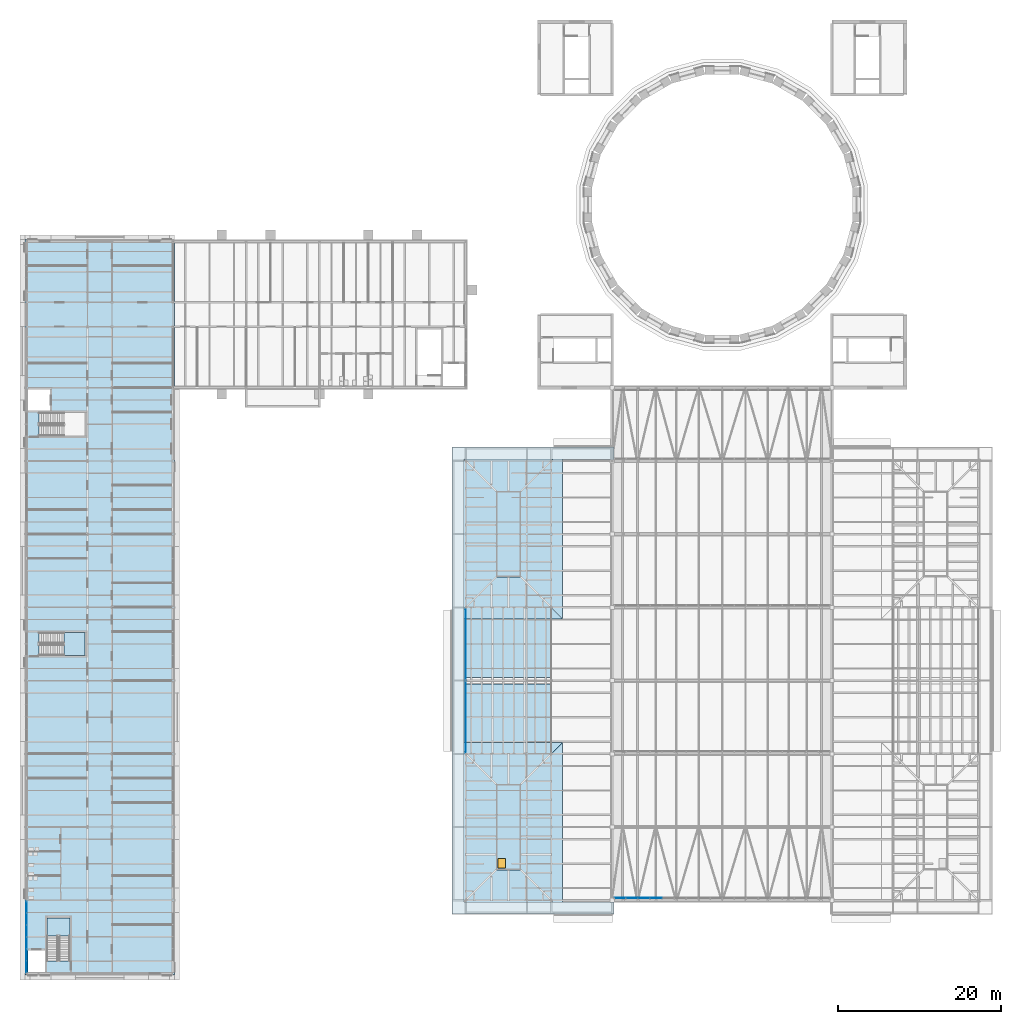
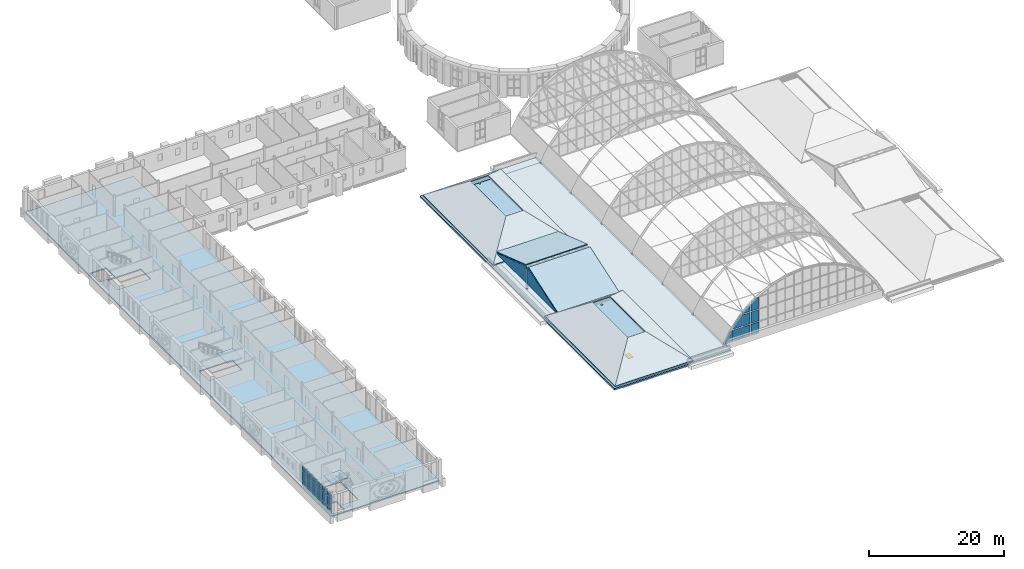
# One storey, part 74 of 121: 29 plates, 15 slabs, 1 window, 1 opening, 4 elements without a shape of their own.
"""IFC4 building model written with IfcOpenShell, lengths in metres."""

from ifc_helpers import new_model, si_unit, direction, frame, origin, origin_2d, place, context, subcontext, project, spatial, polyline, rectangle, outline, extrude, material, layer, layer_set, type_object, element, fill, aggregate, save


model = new_model("IFC4")

# Units and contexts
model_context = context("Model", 3, precision=1e-05, world=origin(), true_north=direction((0.0, 1.0)))
body_context = subcontext(model_context, "Body", "Model", "MODEL_VIEW")
ifc_project = project(units=[si_unit("LENGTHUNIT", "METRE"), si_unit("AREAUNIT", "SQUARE_METRE"), si_unit("VOLUMEUNIT", "CUBIC_METRE"), si_unit("PLANEANGLEUNIT", "RADIAN"), si_unit("MASSUNIT", "GRAM", prefix="KILO")], contexts=[model_context])

# Site, building, storey
site_placement = place(None, origin())
site = spatial("IfcSite", under=ifc_project, at=site_placement, CompositionType="ELEMENT")
building_placement = place(site_placement, origin())
building = spatial("IfcBuilding", under=site, at=building_placement, Name="Golden Quay Civic Hall", CompositionType="ELEMENT")
storey_placement = place(building_placement, frame((0.0, 0.0, 18.60009765625)))
storey = spatial("IfcBuildingStorey", under=building, at=storey_placement, Name="L04", CompositionType="ELEMENT", Elevation=18.60009765625)

# Slab
ifc_material_1 = material(Name="Concrete C35/45", Category="concrete")
ifc_layer_1 = layer(ifc_material_1, 0.199951171875)
ifc_layer_set_1 = layer_set([ifc_layer_1], Name="Composite floor 200")
slab_type_1 = type_object("IfcSlabType", Name="Composite floor 200", PredefinedType="FLOOR", material=ifc_layer_set_1)
slab_1_placement = place(storey_placement, frame((0.0, 0.0, -0.2001953125)))
element("IfcSlab", 1, at=slab_1_placement, inside=storey, type_object=slab_type_1, Name="WO floor L04", PredefinedType="FLOOR", context=body_context, shape_type="SweptSolid", body=[
    extrude(outline(polyline([(-0.199951171875, -9.199951171875), (-0.199951171875, 81.199951171875), (18.199951171875, 81.199951171875), (18.199951171875, -9.199951171875), (-0.199951171875, -9.199951171875)]), holes=[polyline([(5.35009765625, -2.14990234375), (2.5, -2.14990234375), (2.5, -7.445068359375), (5.35009765625, -7.445068359375), (5.35009765625, -2.14990234375)]), polyline([(2.25, -8.800048828125), (2.25, -6.199951171875), (0.199951171875, -6.199951171875), (0.199951171875, -8.800048828125), (2.25, -8.800048828125)]), polyline([(1.554931640625, 57.074951171875), (7.175048828125, 57.074951171875), (7.175048828125, 59.925048828125), (1.554931640625, 59.925048828125), (1.554931640625, 57.074951171875)]), polyline([(0.199951171875, 62.77490234375), (0.199951171875, 60.175048828125), (2.89990234375, 60.175048828125), (2.89990234375, 62.77490234375), (0.199951171875, 62.77490234375)]), polyline([(7.175048828125, 32.925048828125), (1.554931640625, 32.925048828125), (1.554931640625, 30.074951171875), (7.175048828125, 30.074951171875), (7.175048828125, 32.925048828125)])]), origin(), (0.0, 0.0, 1.0), 0.2001953125),
])

# Slab, opening, window
ifc_material_2 = material(Name="Concrete C35/45", Category="concrete")
ifc_layer_2 = layer(ifc_material_2, 0.25)
ifc_layer_set_2 = layer_set([ifc_layer_2], Name="Composite roof 250")
slab_type_2 = type_object("IfcSlabType", Name="Composite roof 250", PredefinedType="ROOF", material=ifc_layer_set_2)
slab_2_placement = place(storey_placement, frame((0.0, 0.0, -0.25)))
slab_2 = element("IfcSlab", 2, at=slab_2_placement, inside=storey, type_object=slab_type_2, Name="WM roof", PredefinedType="ROOF", context=body_context, shape_type="SweptSolid", body=[
    extrude(outline(polyline([(72.199951171875, 26.780029296875), (72.199951171875, 18.219970703125), (71.780029296875, 18.219970703125), (71.780029296875, 17.780029296875), (72.199951171875, 17.780029296875), (72.199951171875, 9.219970703125), (71.780029296875, 9.219970703125), (71.780029296875, 8.780029296875), (72.199951171875, 8.780029296875), (72.199951171875, 0.219970703125), (71.780029296875, 0.219970703125), (71.780029296875, -0.199951171875), (53.800048828125, -0.199951171875), (53.800048828125, 54.199951171875), (71.780029296875, 54.199951171875), (71.780029296875, 53.780029296875), (72.199951171875, 53.780029296875), (72.199951171875, 45.219970703125), (71.780029296875, 45.219970703125), (71.780029296875, 44.780029296875), (72.199951171875, 44.780029296875), (72.199951171875, 36.219970703125), (71.780029296875, 36.219970703125), (71.780029296875, 35.780029296875), (72.199951171875, 35.780029296875), (72.199951171875, 27.219970703125), (71.780029296875, 27.219970703125), (71.780029296875, 26.780029296875), (72.199951171875, 26.780029296875)]), holes=[polyline([(53.885009765625, -0.110107421875), (54.114990234375, -0.110107421875), (54.114990234375, 0.110107421875), (53.885009765625, 0.110107421875), (53.885009765625, -0.110107421875)]), polyline([(53.885009765625, 9.110107421875), (53.885009765625, 8.889892578125), (54.114990234375, 8.889892578125), (54.114990234375, 9.110107421875), (53.885009765625, 9.110107421875)]), polyline([(54.114990234375, 18.110107421875), (53.885009765625, 18.110107421875), (53.885009765625, 17.889892578125), (54.114990234375, 17.889892578125), (54.114990234375, 18.110107421875)]), polyline([(61.614990234375, -0.110107421875), (61.614990234375, 0.110107421875), (61.385009765625, 0.110107421875), (61.385009765625, -0.110107421875), (61.614990234375, -0.110107421875)]), polyline([(61.364990234375, 17.8701171875), (61.635009765625, 17.8701171875), (61.635009765625, 18.1298828125), (61.364990234375, 18.1298828125), (61.364990234375, 17.8701171875)]), polyline([(64.385009765625, 0.110107421875), (64.385009765625, -0.110107421875), (64.614990234375, -0.110107421875), (64.614990234375, 0.110107421875), (64.385009765625, 0.110107421875)]), polyline([(64.635009765625, 9.1298828125), (64.364990234375, 9.1298828125), (64.364990234375, 8.8701171875), (64.635009765625, 8.8701171875), (64.635009765625, 9.1298828125)]), polyline([(64.635009765625, 17.8701171875), (64.635009765625, 18.1298828125), (64.364990234375, 18.1298828125), (64.364990234375, 17.8701171875), (64.635009765625, 17.8701171875)]), polyline([(53.885009765625, 35.889892578125), (54.114990234375, 35.889892578125), (54.114990234375, 36.110107421875), (53.885009765625, 36.110107421875), (53.885009765625, 35.889892578125)]), polyline([(53.885009765625, 45.110107421875), (53.885009765625, 44.889892578125), (54.114990234375, 44.889892578125), (54.114990234375, 45.110107421875), (53.885009765625, 45.110107421875)]), polyline([(54.114990234375, 54.110107421875), (53.885009765625, 54.110107421875), (53.885009765625, 53.889892578125), (54.114990234375, 53.889892578125), (54.114990234375, 54.110107421875)]), polyline([(61.635009765625, 35.8701171875), (61.635009765625, 36.1298828125), (61.364990234375, 36.1298828125), (61.364990234375, 35.8701171875), (61.635009765625, 35.8701171875)]), polyline([(61.385009765625, 53.889892578125), (61.614990234375, 53.889892578125), (61.614990234375, 54.110107421875), (61.385009765625, 54.110107421875), (61.385009765625, 53.889892578125)]), polyline([(64.364990234375, 36.1298828125), (64.364990234375, 35.8701171875), (64.635009765625, 35.8701171875), (64.635009765625, 36.1298828125), (64.364990234375, 36.1298828125)]), polyline([(64.635009765625, 45.1298828125), (64.364990234375, 45.1298828125), (64.364990234375, 44.8701171875), (64.635009765625, 44.8701171875), (64.635009765625, 45.1298828125)]), polyline([(64.614990234375, 53.889892578125), (64.614990234375, 54.110107421875), (64.385009765625, 54.110107421875), (64.385009765625, 53.889892578125), (64.614990234375, 53.889892578125)]), polyline([(53.885009765625, 26.885009765625), (54.114990234375, 26.885009765625), (54.114990234375, 27.114990234375), (53.885009765625, 27.114990234375), (53.885009765625, 26.885009765625)]), polyline([(61.385009765625, 27.114990234375), (61.385009765625, 26.885009765625), (61.614990234375, 26.885009765625), (61.614990234375, 27.114990234375), (61.385009765625, 27.114990234375)]), polyline([(64.614990234375, 27.114990234375), (64.385009765625, 27.114990234375), (64.385009765625, 26.885009765625), (64.614990234375, 26.885009765625), (64.614990234375, 27.114990234375)])]), origin(), (0.0, 0.0, 1.0), 0.25),
])
opening_placement = place(slab_2_placement, frame((58.39990234375, 4.550048828125, 0.0)))
opening = element("IfcOpeningElement", 3, at=opening_placement, cuts=slab_2, Name="Opening WN12", PredefinedType="OPENING", context=body_context, shape_type="SweptSolid", body=[
    extrude(rectangle(XDim=0.89990234375, YDim=1.199951171875, at=origin_2d()), origin(), (0.0, 0.0, 1.0), 0.25),
])
ifc_material_3 = material(Name="Aluminium, insulated", Category="aluminium")
window_type = type_object("IfcWindowType", Name="Roof access hatch 900 x 1200", PartitioningType="SINGLE_PANEL", PredefinedType="SKYLIGHT", material=ifc_material_3)
window_placement = place(opening_placement, frame((0.0, 0.0, 0.199951171875)))
window = element("IfcWindow", 4, at=window_placement, inside=storey, type_object=window_type, Name="Roof access hatch 900 x 1200 L04 1", OverallHeight=1.199951171875, OverallWidth=0.89990234375, PartitioningType="SINGLE_PANEL", PredefinedType="SKYLIGHT", context=body_context, shape_type="SweptSolid", body=[
    extrude(rectangle(XDim=0.89990234375, YDim=1.199951171875, at=origin_2d()), origin(), (0.0, 0.0, 1.0), 0.050048828125),
])
fill(opening, window)

# Slabs
ifc_material_4 = material(Name="Concrete C35/45", Category="concrete")
ifc_layer_3 = layer(ifc_material_4, 0.14990234375)
ifc_layer_set_3 = layer_set([ifc_layer_3], Name="Concrete roof deck 150, Concrete C35/45")
slab_type_3 = type_object("IfcSlabType", Name="Concrete roof deck 150", PredefinedType="ROOF", material=ifc_layer_set_3)
slab_3_placement = place(storey_placement, frame((52.60009765625, -1.39990234375, 0.18994140625), z_axis=(0.0, -0.600012135945, 0.799990897897), x_axis=(1.0, 0.0, 0.0)))
element("IfcSlab", 5, at=slab_3_placement, inside=storey, type_object=slab_type_3, Name="Roof deck WM-S south", PredefinedType="ROOF", context=body_context, shape_type="SweptSolid", body=[
    extrude(outline(polyline([(0.0, 0.0), (13.2998046875, 0.0), (8.14990234375, 6.437451172615724), (5.14990234375, 6.437451172615724), (0.0, 0.0)])), origin(), (0.0, -0.600012135945, -0.799990897897), 0.1875),
])
slab_4_placement = place(storey_placement, frame((52.60009765625, 19.39990234375, 0.18994140625), z_axis=(0.0, 0.600012135945, 0.799990897897), x_axis=(1.0, 0.0, 0.0)))
element("IfcSlab", 6, at=slab_4_placement, inside=storey, type_object=slab_type_3, Name="Roof deck WM-S north", PredefinedType="ROOF", context=body_context, shape_type="SweptSolid", body=[
    extrude(outline(polyline([(0.0, 0.0), (13.2998046875, 0.0), (8.14990234375, -6.437451172615724), (5.14990234375, -6.437451172615724), (0.0, 0.0)])), origin(), (0.0, 0.600012135945, -0.799990897897), 0.1875),
])
slab_5_placement = place(storey_placement, frame((52.60009765625, -1.39990234375, 0.18994140625), z_axis=(-0.600012135945, 0.0, 0.799990897897), x_axis=(0.0, 1.0, 0.0)))
element("IfcSlab", 7, at=slab_5_placement, inside=storey, type_object=slab_type_3, Name="Roof deck WM-S west", PredefinedType="ROOF", context=body_context, shape_type="SweptSolid", body=[
    extrude(outline(polyline([(0.0, 0.0), (20.7998046875, 0.0), (15.64990234375, -6.437451172615724), (5.14990234375, -6.437451172615724), (0.0, 0.0)])), origin(), (0.0, 0.600012135945, -0.799990897897), 0.1875),
])
slab_6_placement = place(storey_placement, frame((65.89990234375, -1.39990234375, 0.18994140625), z_axis=(0.600012135945, 0.0, 0.799990897897), x_axis=(0.0, 1.0, 0.0)))
element("IfcSlab", 8, at=slab_6_placement, inside=storey, type_object=slab_type_3, Name="Roof deck WM-S east", PredefinedType="ROOF", context=body_context, shape_type="SweptSolid", body=[
    extrude(outline(polyline([(0.0, 0.0), (20.7998046875, 0.0), (15.64990234375, 6.437451172615724), (5.14990234375, 6.437451172615724), (0.0, 0.0)])), origin(), (0.0, -0.600012135945, -0.799990897897), 0.1875),
])
slab_7_placement = place(storey_placement, frame((52.60009765625, 34.60009765625, 0.18994140625), z_axis=(0.0, -0.600012135945, 0.799990897897), x_axis=(1.0, 0.0, 0.0)))
element("IfcSlab", 9, at=slab_7_placement, inside=storey, type_object=slab_type_3, Name="Roof deck WM-N south", PredefinedType="ROOF", context=body_context, shape_type="SweptSolid", body=[
    extrude(outline(polyline([(0.0, 0.0), (13.2998046875, 0.0), (8.14990234375, 6.437451172615724), (5.14990234375, 6.437451172615724), (0.0, 0.0)])), origin(), (0.0, -0.600012135945, -0.799990897897), 0.1875),
])
slab_8_placement = place(storey_placement, frame((52.60009765625, 55.39990234375, 0.18994140625), z_axis=(0.0, 0.600012135945, 0.799990897897), x_axis=(1.0, 0.0, 0.0)))
element("IfcSlab", 10, at=slab_8_placement, inside=storey, type_object=slab_type_3, Name="Roof deck WM-N north", PredefinedType="ROOF", context=body_context, shape_type="SweptSolid", body=[
    extrude(outline(polyline([(0.0, 0.0), (13.2998046875, 0.0), (8.14990234375, -6.437451172615724), (5.14990234375, -6.437451172615724), (0.0, 0.0)])), origin(), (0.0, 0.600012135945, -0.799990897897), 0.1875),
])
slab_9_placement = place(storey_placement, frame((52.60009765625, 34.60009765625, 0.18994140625), z_axis=(-0.600012135945, 0.0, 0.799990897897), x_axis=(0.0, 1.0, 0.0)))
element("IfcSlab", 11, at=slab_9_placement, inside=storey, type_object=slab_type_3, Name="Roof deck WM-N west", PredefinedType="ROOF", context=body_context, shape_type="SweptSolid", body=[
    extrude(outline(polyline([(0.0, 0.0), (20.7998046875, 0.0), (15.64990234375, -6.437451172615724), (5.14990234375, -6.437451172615724), (0.0, 0.0)])), origin(), (0.0, 0.600012135945, -0.799990897897), 0.1875),
])
slab_10_placement = place(storey_placement, frame((65.89990234375, 34.60009765625, 0.18994140625), z_axis=(0.600012135945, 0.0, 0.799990897897), x_axis=(0.0, 1.0, 0.0)))
element("IfcSlab", 12, at=slab_10_placement, inside=storey, type_object=slab_type_3, Name="Roof deck WM-N east", PredefinedType="ROOF", context=body_context, shape_type="SweptSolid", body=[
    extrude(outline(polyline([(0.0, 0.0), (20.7998046875, 0.0), (15.64990234375, 6.437451172615724), (5.14990234375, 6.437451172615724), (0.0, 0.0)])), origin(), (0.0, -0.600012135945, -0.799990897897), 0.1875),
])
slab_11_placement = place(storey_placement, frame((54.0, 18.0, 1.24609375), z_axis=(0.0, -0.320484074893, 0.947253903523), x_axis=(1.0, 0.0, 0.0)))
element("IfcSlab", 13, at=slab_11_placement, inside=storey, type_object=slab_type_3, Name="Roof deck gable south", PredefinedType="ROOF", context=body_context, shape_type="SweptSolid", body=[
    extrude(outline(polyline([(0.0, 0.0), (10.5, 0.0), (10.5, 9.078978322774349), (0.0, 9.078978322774349), (0.0, 0.0)])), origin(), (0.0, -0.320484074893, -0.947253903523), 0.158447265625),
])
slab_12_placement = place(storey_placement, frame((54.0, 27.39990234375, 4.15576171875), z_axis=(0.0, 0.320484074893, 0.947253903523), x_axis=(1.0, 0.0, 0.0)))
element("IfcSlab", 14, at=slab_12_placement, inside=storey, type_object=slab_type_3, Name="Roof deck gable north", PredefinedType="ROOF", context=body_context, shape_type="SweptSolid", body=[
    extrude(outline(polyline([(0.0, 0.0), (10.5, 0.0), (10.5, 9.078978322774349), (0.0, 9.078978322774349), (0.0, 0.0)])), origin(), (0.0, 0.320484074893, -0.947253903523), 0.158447265625),
])

# Stair, slab
ifc_material_5 = material(Name="Concrete C35/45", Category="concrete")
stair_type = type_object("IfcStairType", Name="Concrete stair 1350 wide 24 risers of 175.0", PredefinedType="HALF_TURN_STAIR", material=ifc_material_5)
stair_1_placement = place(storey_placement, origin())
stair_1 = element("IfcStair", 15, at=stair_1_placement, inside=storey, type_object=stair_type, Name="L04 Stair WO-S", PredefinedType="HALF_TURN_STAIR")
ifc_material_6 = material(Name="Concrete C35/45", Category="concrete")
ifc_layer_4 = layer(ifc_material_6, 0.199951171875)
ifc_layer_set_4 = layer_set([ifc_layer_4], Name="Concrete stair landing 200, Concrete C35/45")
slab_type_4 = type_object("IfcSlabType", Name="Concrete stair landing 200", PredefinedType="LANDING", material=ifc_layer_set_4)
slab_13_placement = place(storey_placement, frame((0.0, 0.0, 1.89990234375)))
slab_13 = element("IfcSlab", 16, at=slab_13_placement, type_object=slab_type_4, Name="WO-S landing 1", PredefinedType="LANDING", context=body_context, shape_type="SweptSolid", body=[
    extrude(outline(polyline([(5.35009765625, -4.3701171875), (5.35009765625, -2.14990234375), (2.5, -2.14990234375), (2.5, -4.3701171875), (5.35009765625, -4.3701171875)])), origin(), (0.0, 0.0, 1.0), 0.199951171875),
])
aggregate(stair_1, [slab_13])

stair_2_placement = place(storey_placement, origin())
stair_2 = element("IfcStair", 17, at=stair_2_placement, inside=storey, type_object=stair_type, Name="L04 Stair WO-M", PredefinedType="HALF_TURN_STAIR")
slab_14_placement = place(storey_placement, frame((0.0, 0.0, 1.89990234375)))
slab_14 = element("IfcSlab", 18, at=slab_14_placement, type_object=slab_type_4, Name="WO-M landing 1", PredefinedType="LANDING", context=body_context, shape_type="SweptSolid", body=[
    extrude(outline(polyline([(4.6298828125, 30.074951171875), (7.175048828125, 30.074951171875), (7.175048828125, 32.925048828125), (4.6298828125, 32.925048828125), (4.6298828125, 30.074951171875)])), origin(), (0.0, 0.0, 1.0), 0.199951171875),
])
aggregate(stair_2, [slab_14])

# Curtain wall, plates
ifc_material_7 = material(Name="Glass, laminated double glazed", Category="glass")
ifc_layer_5 = layer(ifc_material_7, 0.199951171875)
ifc_layer_set_5 = layer_set([ifc_layer_5], Name="Glazed core strip curtain wall")
curtain_wall_type_1 = type_object("IfcCurtainWallType", Name="Glazed core strip curtain wall", PredefinedType="NOTDEFINED", material=ifc_layer_set_5)
curtain_wall_1_placement = place(storey_placement, origin())
curtain_wall_1 = element("IfcCurtainWall", 19, at=curtain_wall_1_placement, inside=storey, type_object=curtain_wall_type_1, Name="Glazed core strip curtain wall L04 1", PredefinedType="NOTDEFINED")
ifc_material_8 = material(Name="Glass, laminated double glazed", Category="glass")
ifc_layer_6 = layer(ifc_material_8, 0.028076171875)
ifc_layer_set_6 = layer_set([ifc_layer_6], Name="Double glazed curtain wall panel 28")
plate_type_1 = type_object("IfcPlateType", Name="Double glazed curtain wall panel 28", PredefinedType="CURTAIN_PANEL", material=ifc_layer_set_6)
plate_1_placement = place(storey_placement, frame((0.0, -8.13916015625, 0.059814453125), z_axis=(0.0, 0.0, 1.0), x_axis=(0.0, 1.0, 0.0)))
plate_1 = element("IfcPlate", 20, at=plate_1_placement, type_object=plate_type_1, Name="CW2 panel 1.1", PredefinedType="CURTAIN_PANEL", context=body_context, shape_type="SweptSolid", body=[
    extrude(rectangle(XDim=1.37158203125, YDim=0.028076171875, at=origin_2d()), origin(), (0.0, 0.0, 1.0), 0.81005859375),
])
plate_2_placement = place(storey_placement, frame((0.0, -8.13916015625, 0.9296875), z_axis=(0.0, 0.0, 1.0), x_axis=(0.0, 1.0, 0.0)))
plate_2 = element("IfcPlate", 21, at=plate_2_placement, type_object=plate_type_1, Name="CW2 panel 1.2", PredefinedType="CURTAIN_PANEL", context=body_context, shape_type="SweptSolid", body=[
    extrude(rectangle(XDim=1.37158203125, YDim=0.028076171875, at=origin_2d()), origin(), (0.0, 0.0, 1.0), 1.739990234375),
])
plate_3_placement = place(storey_placement, frame((0.0, -8.13916015625, 2.72998046875), z_axis=(0.0, 0.0, 1.0), x_axis=(0.0, 1.0, 0.0)))
plate_3 = element("IfcPlate", 22, at=plate_3_placement, type_object=plate_type_1, Name="CW2 panel 1.3", PredefinedType="CURTAIN_PANEL", context=body_context, shape_type="SweptSolid", body=[
    extrude(rectangle(XDim=1.37158203125, YDim=0.028076171875, at=origin_2d()), origin(), (0.0, 0.0, 1.0), 0.81005859375),
])
plate_4_placement = place(storey_placement, frame((0.0, -6.6923828125, 0.059814453125), z_axis=(0.0, 0.0, 1.0), x_axis=(0.0, 1.0, 0.0)))
plate_4 = element("IfcPlate", 23, at=plate_4_placement, type_object=plate_type_1, Name="CW2 panel 2.1", PredefinedType="CURTAIN_PANEL", context=body_context, shape_type="SweptSolid", body=[
    extrude(rectangle(XDim=1.401611328125, YDim=0.028076171875, at=origin_2d()), origin(), (0.0, 0.0, 1.0), 0.81005859375),
])
plate_5_placement = place(storey_placement, frame((0.0, -6.6923828125, 0.9296875), z_axis=(0.0, 0.0, 1.0), x_axis=(0.0, 1.0, 0.0)))
plate_5 = element("IfcPlate", 24, at=plate_5_placement, type_object=plate_type_1, Name="CW2 panel 2.2", PredefinedType="CURTAIN_PANEL", context=body_context, shape_type="SweptSolid", body=[
    extrude(rectangle(XDim=1.401611328125, YDim=0.028076171875, at=origin_2d()), origin(), (0.0, 0.0, 1.0), 1.739990234375),
])
plate_6_placement = place(storey_placement, frame((0.0, -6.6923828125, 2.72998046875), z_axis=(0.0, 0.0, 1.0), x_axis=(0.0, 1.0, 0.0)))
plate_6 = element("IfcPlate", 25, at=plate_6_placement, type_object=plate_type_1, Name="CW2 panel 2.3", PredefinedType="CURTAIN_PANEL", context=body_context, shape_type="SweptSolid", body=[
    extrude(rectangle(XDim=1.401611328125, YDim=0.028076171875, at=origin_2d()), origin(), (0.0, 0.0, 1.0), 0.81005859375),
])
plate_7_placement = place(storey_placement, frame((0.0, -5.230712890625, 0.059814453125), z_axis=(0.0, 0.0, 1.0), x_axis=(0.0, 1.0, 0.0)))
plate_7 = element("IfcPlate", 26, at=plate_7_placement, type_object=plate_type_1, Name="CW2 panel 3.1", PredefinedType="CURTAIN_PANEL", context=body_context, shape_type="SweptSolid", body=[
    extrude(rectangle(XDim=1.401611328125, YDim=0.028076171875, at=origin_2d()), origin(), (0.0, 0.0, 1.0), 0.81005859375),
])
plate_8_placement = place(storey_placement, frame((0.0, -5.230712890625, 0.9296875), z_axis=(0.0, 0.0, 1.0), x_axis=(0.0, 1.0, 0.0)))
plate_8 = element("IfcPlate", 27, at=plate_8_placement, type_object=plate_type_1, Name="CW2 panel 3.2", PredefinedType="CURTAIN_PANEL", context=body_context, shape_type="SweptSolid", body=[
    extrude(rectangle(XDim=1.401611328125, YDim=0.028076171875, at=origin_2d()), origin(), (0.0, 0.0, 1.0), 1.739990234375),
])
plate_9_placement = place(storey_placement, frame((0.0, -5.230712890625, 2.72998046875), z_axis=(0.0, 0.0, 1.0), x_axis=(0.0, 1.0, 0.0)))
plate_9 = element("IfcPlate", 28, at=plate_9_placement, type_object=plate_type_1, Name="CW2 panel 3.3", PredefinedType="CURTAIN_PANEL", context=body_context, shape_type="SweptSolid", body=[
    extrude(rectangle(XDim=1.401611328125, YDim=0.028076171875, at=origin_2d()), origin(), (0.0, 0.0, 1.0), 0.81005859375),
])
plate_10_placement = place(storey_placement, frame((0.0, -3.769287109375, 0.059814453125), z_axis=(0.0, 0.0, 1.0), x_axis=(0.0, 1.0, 0.0)))
plate_10 = element("IfcPlate", 29, at=plate_10_placement, type_object=plate_type_1, Name="CW2 panel 4.1", PredefinedType="CURTAIN_PANEL", context=body_context, shape_type="SweptSolid", body=[
    extrude(rectangle(XDim=1.401611328125, YDim=0.028076171875, at=origin_2d()), origin(), (0.0, 0.0, 1.0), 0.81005859375),
])
plate_11_placement = place(storey_placement, frame((0.0, -3.769287109375, 0.9296875), z_axis=(0.0, 0.0, 1.0), x_axis=(0.0, 1.0, 0.0)))
plate_11 = element("IfcPlate", 30, at=plate_11_placement, type_object=plate_type_1, Name="CW2 panel 4.2", PredefinedType="CURTAIN_PANEL", context=body_context, shape_type="SweptSolid", body=[
    extrude(rectangle(XDim=1.401611328125, YDim=0.028076171875, at=origin_2d()), origin(), (0.0, 0.0, 1.0), 1.739990234375),
])
plate_12_placement = place(storey_placement, frame((0.0, -3.769287109375, 2.72998046875), z_axis=(0.0, 0.0, 1.0), x_axis=(0.0, 1.0, 0.0)))
plate_12 = element("IfcPlate", 31, at=plate_12_placement, type_object=plate_type_1, Name="CW2 panel 4.3", PredefinedType="CURTAIN_PANEL", context=body_context, shape_type="SweptSolid", body=[
    extrude(rectangle(XDim=1.401611328125, YDim=0.028076171875, at=origin_2d()), origin(), (0.0, 0.0, 1.0), 0.81005859375),
])
plate_13_placement = place(storey_placement, frame((0.0, -2.3076171875, 0.059814453125), z_axis=(0.0, 0.0, 1.0), x_axis=(0.0, 1.0, 0.0)))
plate_13 = element("IfcPlate", 32, at=plate_13_placement, type_object=plate_type_1, Name="CW2 panel 5.1", PredefinedType="CURTAIN_PANEL", context=body_context, shape_type="SweptSolid", body=[
    extrude(rectangle(XDim=1.401611328125, YDim=0.028076171875, at=origin_2d()), origin(), (0.0, 0.0, 1.0), 0.81005859375),
])
plate_14_placement = place(storey_placement, frame((0.0, -2.3076171875, 0.9296875), z_axis=(0.0, 0.0, 1.0), x_axis=(0.0, 1.0, 0.0)))
plate_14 = element("IfcPlate", 33, at=plate_14_placement, type_object=plate_type_1, Name="CW2 panel 5.2", PredefinedType="CURTAIN_PANEL", context=body_context, shape_type="SweptSolid", body=[
    extrude(rectangle(XDim=1.401611328125, YDim=0.028076171875, at=origin_2d()), origin(), (0.0, 0.0, 1.0), 1.739990234375),
])
plate_15_placement = place(storey_placement, frame((0.0, -2.3076171875, 2.72998046875), z_axis=(0.0, 0.0, 1.0), x_axis=(0.0, 1.0, 0.0)))
plate_15 = element("IfcPlate", 34, at=plate_15_placement, type_object=plate_type_1, Name="CW2 panel 5.3", PredefinedType="CURTAIN_PANEL", context=body_context, shape_type="SweptSolid", body=[
    extrude(rectangle(XDim=1.401611328125, YDim=0.028076171875, at=origin_2d()), origin(), (0.0, 0.0, 1.0), 0.81005859375),
])
plate_16_placement = place(storey_placement, frame((0.0, -0.86083984375, 0.059814453125), z_axis=(0.0, 0.0, 1.0), x_axis=(0.0, 1.0, 0.0)))
plate_16 = element("IfcPlate", 35, at=plate_16_placement, type_object=plate_type_1, Name="CW2 panel 6.1", PredefinedType="CURTAIN_PANEL", context=body_context, shape_type="SweptSolid", body=[
    extrude(rectangle(XDim=1.37158203125, YDim=0.028076171875, at=origin_2d()), origin(), (0.0, 0.0, 1.0), 0.81005859375),
])
plate_17_placement = place(storey_placement, frame((0.0, -0.86083984375, 0.9296875), z_axis=(0.0, 0.0, 1.0), x_axis=(0.0, 1.0, 0.0)))
plate_17 = element("IfcPlate", 36, at=plate_17_placement, type_object=plate_type_1, Name="CW2 panel 6.2", PredefinedType="CURTAIN_PANEL", context=body_context, shape_type="SweptSolid", body=[
    extrude(rectangle(XDim=1.37158203125, YDim=0.028076171875, at=origin_2d()), origin(), (0.0, 0.0, 1.0), 1.739990234375),
])
plate_18_placement = place(storey_placement, frame((0.0, -0.86083984375, 2.72998046875), z_axis=(0.0, 0.0, 1.0), x_axis=(0.0, 1.0, 0.0)))
plate_18 = element("IfcPlate", 37, at=plate_18_placement, type_object=plate_type_1, Name="CW2 panel 6.3", PredefinedType="CURTAIN_PANEL", context=body_context, shape_type="SweptSolid", body=[
    extrude(rectangle(XDim=1.37158203125, YDim=0.028076171875, at=origin_2d()), origin(), (0.0, 0.0, 1.0), 0.81005859375),
])
aggregate(curtain_wall_1, [plate_1, plate_2, plate_3, plate_4, plate_5, plate_6, plate_7, plate_8, plate_9, plate_10, plate_11, plate_12, plate_13, plate_14, plate_15, plate_16, plate_17, plate_18])

# Slab
ifc_material_9 = material(Name="Concrete C35/45", Category="concrete")
ifc_layer_7 = layer(ifc_material_9, 0.25)
ifc_layer_set_7 = layer_set([ifc_layer_7], Name="Eave roof slab 250")
slab_type_5 = type_object("IfcSlabType", Name="Eave roof slab 250", PredefinedType="ROOF", material=ifc_layer_set_7)
slab_15_placement = place(storey_placement, frame((0.0, 0.0, -0.25)))
element("IfcSlab", 38, at=slab_15_placement, inside=storey, type_object=slab_type_5, Name="Eave roof slab 250 L04 1", PredefinedType="ROOF", context=body_context, shape_type="SweptSolid", body=[
    extrude(outline(polyline([(72.199951171875, -1.699951171875), (53.800048828125, -1.699951171875), (52.300048828125, -1.699951171875), (52.300048828125, -0.199951171875), (52.300048828125, 54.199951171875), (52.300048828125, 55.699951171875), (53.800048828125, 55.699951171875), (72.199951171875, 55.699951171875), (72.199951171875, 54.199951171875), (53.800048828125, 54.199951171875), (53.800048828125, -0.199951171875), (72.199951171875, -0.199951171875), (72.199951171875, -1.699951171875)])), origin(), (0.0, 0.0, 1.0), 0.25),
])

# Curtain wall, plates
ifc_material_10 = material(Name="Glass and aluminium", Category="aluminium")
curtain_wall_type_2 = type_object("IfcCurtainWallType", Name="Glazed curtain wall 1500 module", PredefinedType="NOTDEFINED", material=ifc_material_10)
curtain_wall_2_placement = place(storey_placement, origin())
curtain_wall_2 = element("IfcCurtainWall", 39, at=curtain_wall_2_placement, inside=storey, type_object=curtain_wall_type_2, Name="Curtain wall tympanum south", PredefinedType="NOTDEFINED")
ifc_material_11 = material(Name="Laminated glass", Category="glass")
ifc_layer_8 = layer(ifc_material_11, 0.028076171875)
ifc_layer_set_8 = layer_set([ifc_layer_8], Name="Laminated glass panel 28")
plate_type_2 = type_object("IfcPlateType", Name="Laminated glass panel 28", PredefinedType="CURTAIN_PANEL", material=ifc_layer_set_8)
plate_19_placement = place(storey_placement, frame((73.61767578125, 0.283935546875, -0.130126953125), z_axis=(0.0, 1.0, 0.0), x_axis=(-1.0, 0.0, 0.0)))
plate_19 = element("IfcPlate", 40, at=plate_19_placement, type_object=plate_type_2, Name="Tympanum glass 1.1", PredefinedType="CURTAIN_PANEL", context=body_context, shape_type="SweptSolid", body=[
    extrude(outline(polyline([(0.0, 0.0), (1.297607421875, 0.0), (1.297607421875, 0.37646484375), (0.4150390625, 2.02001953125), (0.0, 2.02001953125), (0.0, 0.0)])), origin(), (0.0, 0.0, -1.0), 0.028076171875),
])
plate_20_placement = place(storey_placement, frame((75.095458984375, 0.283935546875, -0.130126953125), z_axis=(0.0, 1.0, 0.0), x_axis=(-1.0, 0.0, 0.0)))
plate_20 = element("IfcPlate", 41, at=plate_20_placement, type_object=plate_type_2, Name="Tympanum glass 2.1", PredefinedType="CURTAIN_PANEL", context=body_context, shape_type="SweptSolid", body=[
    extrude(outline(polyline([(0.0, 0.0), (1.357666015625, 0.0), (1.357666015625, 2.02001953125), (0.0, 2.02001953125), (0.0, 0.0)])), origin(), (0.0, 0.0, -1.0), 0.028076171875),
])
plate_21_placement = place(storey_placement, frame((75.095458984375, 0.283935546875, 2.06982421875), z_axis=(0.0, 1.0, 0.0), x_axis=(-1.0, 0.0, 0.0)))
plate_21 = element("IfcPlate", 42, at=plate_21_placement, type_object=plate_type_2, Name="Tympanum glass 2.2", PredefinedType="CURTAIN_PANEL", context=body_context, shape_type="SweptSolid", body=[
    extrude(outline(polyline([(0.0, 0.0), (1.357666015625, 0.0), (1.357666015625, 0.677978515625), (0.0, 2.3271484375), (0.0, 0.0)])), origin(), (0.0, 0.0, -1.0), 0.028076171875),
])
plate_22_placement = place(storey_placement, frame((76.5732421875, 0.283935546875, -0.130126953125), z_axis=(0.0, 1.0, 0.0), x_axis=(-1.0, 0.0, 0.0)))
plate_22 = element("IfcPlate", 43, at=plate_22_placement, type_object=plate_type_2, Name="Tympanum glass 3.1", PredefinedType="CURTAIN_PANEL", context=body_context, shape_type="SweptSolid", body=[
    extrude(outline(polyline([(0.0, 0.0), (1.357666015625, 0.0), (1.357666015625, 2.02001953125), (0.0, 2.02001953125), (0.0, 0.0)])), origin(), (0.0, 0.0, -1.0), 0.028076171875),
])
plate_23_placement = place(storey_placement, frame((76.5732421875, 0.283935546875, 2.06982421875), z_axis=(0.0, 1.0, 0.0), x_axis=(-1.0, 0.0, 0.0)))
plate_23 = element("IfcPlate", 44, at=plate_23_placement, type_object=plate_type_2, Name="Tympanum glass 3.2", PredefinedType="CURTAIN_PANEL", context=body_context, shape_type="SweptSolid", body=[
    extrude(outline(polyline([(0.0, 0.0), (1.357666015625, 0.0), (1.357666015625, 2.02001953125), (0.0, 2.02001953125), (0.0, 0.0)])), origin(), (0.0, 0.0, -1.0), 0.028076171875),
])
plate_24_placement = place(storey_placement, frame((76.5732421875, 0.283935546875, 4.27001953125), z_axis=(0.0, 1.0, 0.0), x_axis=(-1.0, 0.0, 0.0)))
plate_24 = element("IfcPlate", 45, at=plate_24_placement, type_object=plate_type_2, Name="Tympanum glass 3.3", PredefinedType="CURTAIN_PANEL", context=body_context, shape_type="SweptSolid", body=[
    extrude(outline(polyline([(0.0, 0.0), (1.357666015625, 0.0), (1.357666015625, 0.31298828125), (0.0, 1.424560546875), (0.0, 0.0)])), origin(), (0.0, 0.0, -1.0), 0.028076171875),
])
plate_25_placement = place(storey_placement, frame((78.051025390625, 0.283935546875, -0.130126953125), z_axis=(0.0, 1.0, 0.0), x_axis=(-1.0, 0.0, 0.0)))
plate_25 = element("IfcPlate", 46, at=plate_25_placement, type_object=plate_type_2, Name="Tympanum glass 4.1", PredefinedType="CURTAIN_PANEL", context=body_context, shape_type="SweptSolid", body=[
    extrude(outline(polyline([(0.0, 0.0), (1.357666015625, 0.0), (1.357666015625, 2.02001953125), (0.0, 2.02001953125), (0.0, 0.0)])), origin(), (0.0, 0.0, -1.0), 0.028076171875),
])
plate_26_placement = place(storey_placement, frame((78.051025390625, 0.283935546875, 2.06982421875), z_axis=(0.0, 1.0, 0.0), x_axis=(-1.0, 0.0, 0.0)))
plate_26 = element("IfcPlate", 47, at=plate_26_placement, type_object=plate_type_2, Name="Tympanum glass 4.2", PredefinedType="CURTAIN_PANEL", context=body_context, shape_type="SweptSolid", body=[
    extrude(outline(polyline([(0.0, 0.0), (1.357666015625, 0.0), (1.357666015625, 2.02001953125), (0.0, 2.02001953125), (0.0, 0.0)])), origin(), (0.0, 0.0, -1.0), 0.028076171875),
])
plate_27_placement = place(storey_placement, frame((78.051025390625, 0.283935546875, 4.27001953125), z_axis=(0.0, 1.0, 0.0), x_axis=(-1.0, 0.0, 0.0)))
plate_27 = element("IfcPlate", 48, at=plate_27_placement, type_object=plate_type_2, Name="Tympanum glass 4.3", PredefinedType="CURTAIN_PANEL", context=body_context, shape_type="SweptSolid", body=[
    extrude(outline(polyline([(0.0, 0.0), (1.357666015625, 0.0), (1.357666015625, 1.522705078125), (0.75048828125, 2.019775390625), (0.0, 2.019775390625), (0.0, 0.0)])), origin(), (0.0, 0.0, -1.0), 0.028076171875),
])
aggregate(curtain_wall_2, [plate_19, plate_20, plate_21, plate_22, plate_23, plate_24, plate_25, plate_26, plate_27])

# Plates
ifc_material_12 = material(Name="Laminated glass", Category="glass")
ifc_layer_9 = layer(ifc_material_12, 0.030029296875)
ifc_layer_set_9 = layer_set([ifc_layer_9], Name="Laminated roof glazing 30")
plate_type_3 = type_object("IfcPlateType", Name="Laminated roof glazing 30", PredefinedType="SHEET", material=ifc_layer_set_9)
plate_28_placement = place(storey_placement, frame((54.0, 18.10009765625, 0.919921875), z_axis=(1.0, 0.0, 0.0), x_axis=(0.0, 1.0, 0.0)))
element("IfcPlate", 49, at=plate_28_placement, inside=storey, type_object=plate_type_3, Name="Gable end glazing 1 south", PredefinedType="SHEET", context=body_context, shape_type="SweptSolid", body=[
    extrude(outline(polyline([(0.0, 0.0), (8.7998046875, 0.0), (8.7998046875, 3.085693359375), (0.0, 0.2099609375), (0.0, 0.0)])), origin(), (0.0, 0.0, -1.0), 0.030029296875),
])
plate_29_placement = place(storey_placement, frame((54.0, 27.10009765625, 0.919921875), z_axis=(1.0, 0.0, 0.0), x_axis=(0.0, 1.0, 0.0)))
element("IfcPlate", 50, at=plate_29_placement, inside=storey, type_object=plate_type_3, Name="Gable end glazing 1 north", PredefinedType="SHEET", context=body_context, shape_type="SweptSolid", body=[
    extrude(outline(polyline([(0.0, 0.0), (8.7998046875, 0.0), (8.7998046875, 0.2099609375), (0.0, 3.085693359375), (0.0, 0.0)])), origin(), (0.0, 0.0, -1.0), 0.030029296875),
])

save(model, "model.ifc")
